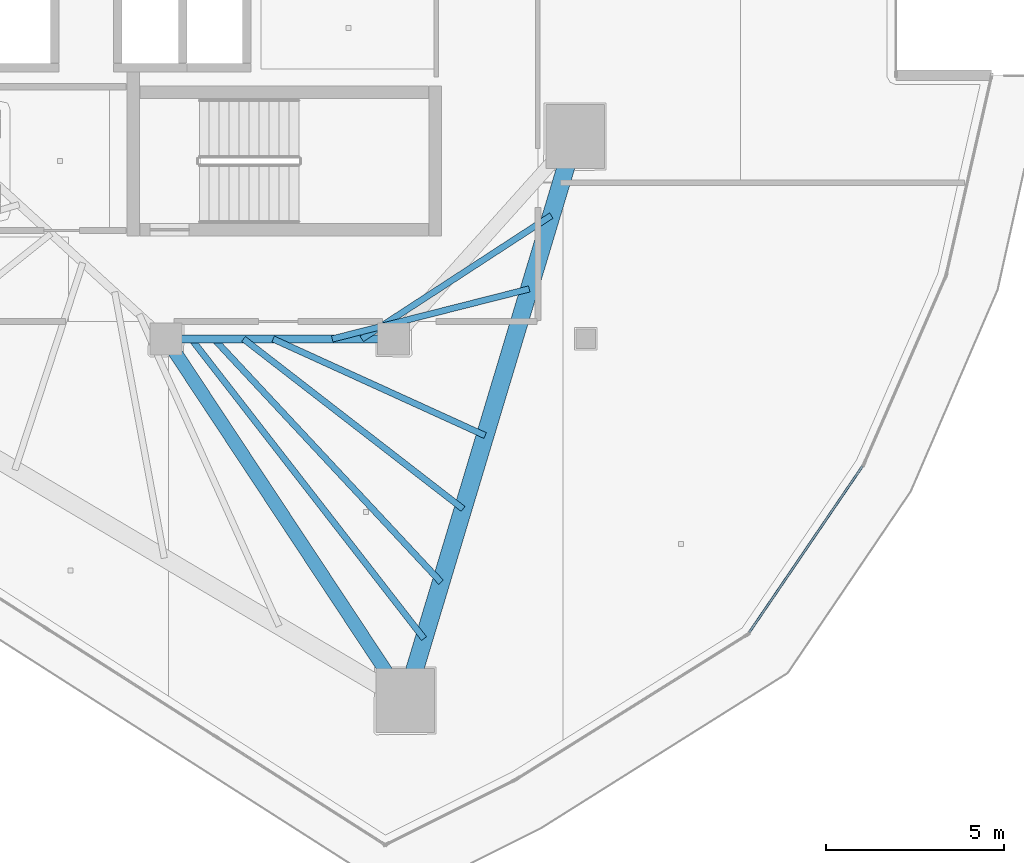
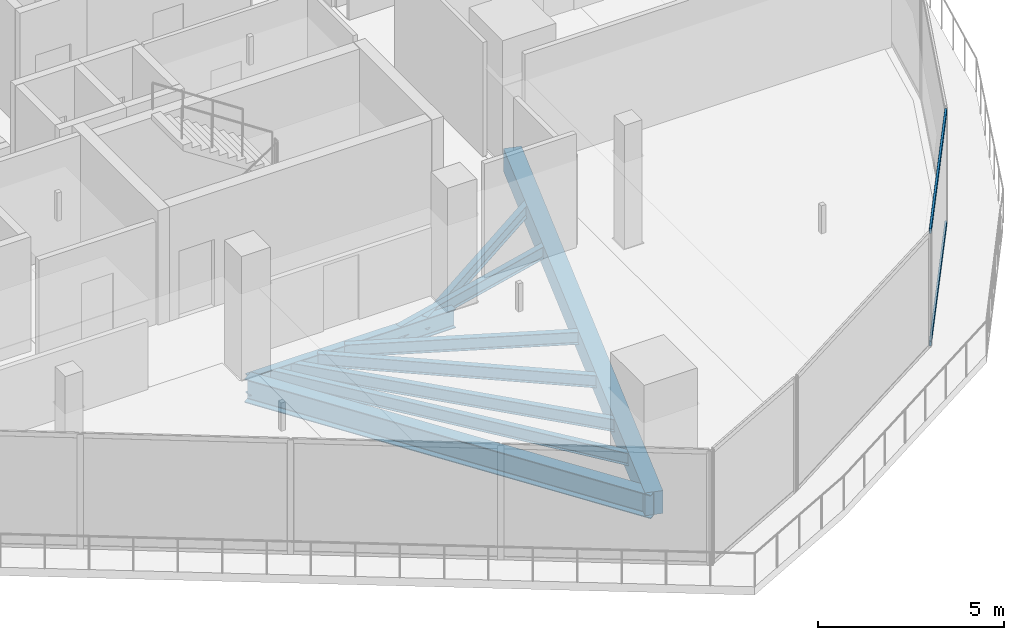
# One storey, part 11 of 34: 9 beams, 2 members, 1 element without a shape of its own.
"""IFC4 building model written with IfcOpenShell, lengths in metres."""

from ifc_helpers import new_model, si_unit, direction, frame, origin, origin_2d, place, context, subcontext, project, spatial, rectangle, hollow_rectangle, i_section, extrude, material, layer, layer_set, material_profile, profile_set, type_object, element, aggregate, save


model = new_model("IFC4")

# Units and contexts
model_context = context("Model", 3, precision=1e-05, world=origin(), true_north=direction((0.0, 1.0)))
body_context = subcontext(model_context, "Body", "Model", "MODEL_VIEW")
ifc_project = project(units=[si_unit("LENGTHUNIT", "METRE"), si_unit("AREAUNIT", "SQUARE_METRE"), si_unit("VOLUMEUNIT", "CUBIC_METRE"), si_unit("PLANEANGLEUNIT", "RADIAN"), si_unit("MASSUNIT", "GRAM", prefix="KILO")], contexts=[model_context])

# Site, building, storey
site_placement = place(None, origin())
site = spatial("IfcSite", under=ifc_project, at=site_placement, CompositionType="ELEMENT")
building_placement = place(site_placement, origin())
building = spatial("IfcBuilding", under=site, at=building_placement, Name="Qorvath Tower", CompositionType="ELEMENT")
storey_placement = place(building_placement, frame((0.0, 0.0, 245.550048828125)))
storey = spatial("IfcBuildingStorey", under=building, at=storey_placement, Name="L57", CompositionType="ELEMENT", Elevation=245.550048828125)

# Beams
ifc_material_1 = material(Name="Steel ASTM A992 Grade 50", Category="steel")
ifc_material_profile_1 = material_profile(ifc_material_1, i_section(OverallWidth=0.381103515625, OverallDepth=0.77294921875, WebThickness=0.0166015625, FlangeThickness=0.027099609375, FilletRadius=0.01904296875, at=origin_2d()), Name="W30x173")
ifc_profile_set_1 = profile_set([ifc_material_profile_1], Name="Steel ASTM A992 Grade 50")
beam_type_1 = type_object("IfcBeamType", Name="BM-FG3", PredefinedType="BEAM", material=ifc_profile_set_1)
beam_1_placement = place(storey_placement, frame((-23.60009765625, -11.449951171875, -0.656494140625), z_axis=(0.551500517741, -0.834174549439, 0.0), x_axis=(0.834174549439, 0.551500517741, 0.0)))
element("IfcBeam", 1, at=beam_1_placement, inside=storey, type_object=beam_type_1, Name="Radial Floor Girder CC4-MC3 L57", PredefinedType="BEAM", context=body_context, shape_type="SweptSolid", body=[
    extrude(i_section(OverallWidth=0.381103515625, OverallDepth=0.77294921875, WebThickness=0.0166015625, FlangeThickness=0.027099609375, FilletRadius=0.01904296875, at=origin_2d()), origin(), (0.0, 0.0, 1.0), 12.200439453125),
])
ifc_material_2 = material(Name="Steel ASTM A992 Grade 50", Category="steel")
ifc_material_profile_2 = material_profile(ifc_material_2, i_section(OverallWidth=0.22998046875, OverallDepth=0.616943359375, WebThickness=0.01318359375, FlangeThickness=0.022216796875, FilletRadius=0.014892578125, at=origin_2d()), Name="W24x94")
ifc_profile_set_2 = profile_set([ifc_material_profile_2], Name="Steel ASTM A992 Grade 50")
beam_type_2 = type_object("IfcBeamType", Name="BM-FG6", PredefinedType="BEAM", material=ifc_profile_set_2)
beam_2_placement = place(storey_placement, frame((-17.199951171875, -11.449951171875, -0.57861328125), z_axis=(-1.0, 0.0, 0.0), x_axis=(0.0, -1.0, 0.0)))
element("IfcBeam", 2, at=beam_2_placement, inside=storey, type_object=beam_type_2, Name="Core Ring Girder CC3-CC4 L57", PredefinedType="BEAM", context=body_context, shape_type="SweptSolid", body=[
    extrude(i_section(OverallWidth=0.22998046875, OverallDepth=0.616943359375, WebThickness=0.01318359375, FlangeThickness=0.022216796875, FilletRadius=0.014892578125, at=origin_2d()), origin(), (0.0, 0.0, 1.0), 6.400146484375),
])
ifc_material_3 = material(Name="Steel ASTM A992 Grade 50", Category="steel")
ifc_material_profile_3 = material_profile(ifc_material_3, i_section(OverallWidth=0.177978515625, OverallDepth=0.406005859375, WebThickness=0.0078125, FlangeThickness=0.0126953125, FilletRadius=0.010986328125, at=origin_2d()), Name="W16x40")
ifc_profile_set_3 = profile_set([ifc_material_profile_3], Name="Steel ASTM A992 Grade 50")
beam_type_3 = type_object("IfcBeamType", Name="BM-FJ3", PredefinedType="JOIST", material=ifc_profile_set_3)
beam_3_placement = place(storey_placement, frame((-18.095947265625, -11.449951171875, -0.47314453125), z_axis=(0.838041756057, 0.545606098853, 0.0), x_axis=(-0.545606098853, 0.838041756057, 0.0)))
element("IfcBeam", 3, at=beam_3_placement, inside=storey, type_object=beam_type_3, Name="Composite Floor Joist SE1 L57", PredefinedType="JOIST", context=body_context, shape_type="SweptSolid", body=[
    extrude(i_section(OverallWidth=0.177978515625, OverallDepth=0.406005859375, WebThickness=0.0078125, FlangeThickness=0.0126953125, FilletRadius=0.010986328125, at=origin_2d()), origin(), (0.0, 0.0, 1.0), 6.36083984375),
])
beam_4_placement = place(storey_placement, frame((-18.927978515625, -11.449951171875, -0.47314453125), z_axis=(0.969231577698, 0.246150662794, 0.0), x_axis=(-0.246150662794, 0.969231577698, 0.0)))
element("IfcBeam", 4, at=beam_4_placement, inside=storey, type_object=beam_type_3, Name="Composite Floor Joist SE2 L57", PredefinedType="JOIST", context=body_context, shape_type="SweptSolid", body=[
    extrude(i_section(OverallWidth=0.177978515625, OverallDepth=0.406005859375, WebThickness=0.0078125, FlangeThickness=0.0126953125, FilletRadius=0.010986328125, at=origin_2d()), origin(), (0.0, 0.0, 1.0), 5.718017578125),
])
beam_5_placement = place(storey_placement, frame((-20.592041015625, -11.449951171875, -0.47314453125), z_axis=(0.909945081179, -0.414728765868, 0.0), x_axis=(0.414728765868, 0.909945081179, 0.0)))
element("IfcBeam", 5, at=beam_5_placement, inside=storey, type_object=beam_type_3, Name="Composite Floor Joist SE4 L57", PredefinedType="JOIST", context=body_context, shape_type="SweptSolid", body=[
    extrude(i_section(OverallWidth=0.177978515625, OverallDepth=0.406005859375, WebThickness=0.0078125, FlangeThickness=0.0126953125, FilletRadius=0.010986328125, at=origin_2d()), origin(), (0.0, 0.0, 1.0), 6.554931640625),
])
beam_6_placement = place(storey_placement, frame((-21.424072265625, -11.449951171875, -0.47314453125), z_axis=(0.790693445503, -0.612212279555, 0.0), x_axis=(0.612212279555, 0.790693445503, 0.0)))
element("IfcBeam", 6, at=beam_6_placement, inside=storey, type_object=beam_type_3, Name="Composite Floor Joist SE5 L57", PredefinedType="JOIST", context=body_context, shape_type="SweptSolid", body=[
    extrude(i_section(OverallWidth=0.177978515625, OverallDepth=0.406005859375, WebThickness=0.0078125, FlangeThickness=0.0126953125, FilletRadius=0.010986328125, at=origin_2d()), origin(), (0.0, 0.0, 1.0), 7.810546875),
])
beam_7_placement = place(storey_placement, frame((-22.256103515625, -11.449951171875, -0.47314453125), z_axis=(0.682249490937, -0.731119437654, 0.0), x_axis=(0.731119437654, 0.682249490937, 0.0)))
element("IfcBeam", 7, at=beam_7_placement, inside=storey, type_object=beam_type_3, Name="Composite Floor Joist SE6 L57", PredefinedType="JOIST", context=body_context, shape_type="SweptSolid", body=[
    extrude(i_section(OverallWidth=0.177978515625, OverallDepth=0.406005859375, WebThickness=0.0078125, FlangeThickness=0.0126953125, FilletRadius=0.010986328125, at=origin_2d()), origin(), (0.0, 0.0, 1.0), 9.362060546875),
])
beam_8_placement = place(storey_placement, frame((-22.89599609375, -11.449951171875, -0.47314453125), z_axis=(0.61345131907, -0.789732536452, 0.0), x_axis=(0.789732536452, 0.61345131907, 0.0)))
element("IfcBeam", 8, at=beam_8_placement, inside=storey, type_object=beam_type_3, Name="Composite Floor Joist SE7 L57", PredefinedType="JOIST", context=body_context, shape_type="SweptSolid", body=[
    extrude(i_section(OverallWidth=0.177978515625, OverallDepth=0.406005859375, WebThickness=0.0078125, FlangeThickness=0.0126953125, FilletRadius=0.010986328125, at=origin_2d()), origin(), (0.0, 0.0, 1.0), 10.676513671875),
])
ifc_material_4 = material(Name="Concrete C45/55", Category="concrete")
ifc_material_profile_4 = material_profile(ifc_material_4, rectangle(XDim=0.5, YDim=0.75, at=origin_2d()), Name="RCB 750x500")
ifc_profile_set_4 = profile_set([ifc_material_profile_4], Name="Concrete C45/55")
beam_type_4 = type_object("IfcBeamType", Name="BM-RCB3", PredefinedType="SPANDREL", material=ifc_profile_set_4)
beam_9_placement = place(storey_placement, frame((-16.87158203125, -21.627197265625, -0.64501953125), z_axis=(0.28812763802, 0.957592013443, 0.0), x_axis=(-0.957592013443, 0.28812763802, 0.0)))
element("IfcBeam", 9, at=beam_9_placement, inside=storey, type_object=beam_type_4, Name="Perimeter Loggia Frame Beam MC3-MC4 L57", PredefinedType="SPANDREL", context=body_context, shape_type="SweptSolid", body=[
    extrude(rectangle(XDim=0.5, YDim=0.75, at=origin_2d()), origin(), (0.0, 0.0, 1.0), 16.572265625),
])

# Curtain wall, members
ifc_material_5 = material(Name="Anodised aluminium and triple low-E glass", Category="aluminium")
ifc_layer = layer(ifc_material_5, 0.179931640625)
ifc_layer_set = layer_set([ifc_layer], Name="CW-SYS-3")
curtain_wall_type = type_object("IfcCurtainWallType", Name="CW-SYS-3", PredefinedType="NOTDEFINED", material=ifc_layer_set)
curtain_wall_placement = place(storey_placement, origin())
curtain_wall = element("IfcCurtainWall", 10, at=curtain_wall_placement, inside=storey, type_object=curtain_wall_type, Name="Curtain Wall CW-3 CW-T-L57-5.1", PredefinedType="NOTDEFINED")
ifc_material_6 = material(Name="Anodised aluminium 6063-T6", Category="aluminium")
ifc_material_profile_5 = material_profile(ifc_material_6, hollow_rectangle(XDim=0.06494140625, YDim=0.159912109375, WallThickness=0.00341796875, InnerFilletRadius=0.00341796875, OuterFilletRadius=0.007080078125, at=origin_2d()), Name="CWT 160x65")
ifc_profile_set_5 = profile_set([ifc_material_profile_5], Name="Anodised aluminium 6063-T6")
member_type = type_object("IfcMemberType", Name="CWT-160", PredefinedType="USERDEFINED", material=ifc_profile_set_5)
member_1_placement = place(storey_placement, frame((-7.1943359375, -19.703857421875, 0.032470703125), z_axis=(0.563031341183, 0.826435544278, 0.0), x_axis=(-0.826435544278, 0.563031341183, 0.0)))
member_1 = element("IfcMember", 11, at=member_1_placement, type_object=member_type, Name="CW-3 transom 1.1", ObjectType="TRANSOM", PredefinedType="USERDEFINED", context=body_context, shape_type="SweptSolid", body=[
    extrude(hollow_rectangle(XDim=0.06494140625, YDim=0.159912109375, WallThickness=0.00341796875, InnerFilletRadius=0.00341796875, OuterFilletRadius=0.007080078125, at=origin_2d()), origin(), (0.0, 0.0, 1.0), 5.65478515625),
])
member_2_placement = place(storey_placement, frame((-7.1943359375, -19.703857421875, 3.717529296875), z_axis=(0.563031341183, 0.826435544278, 0.0), x_axis=(-0.826435544278, 0.563031341183, 0.0)))
member_2 = element("IfcMember", 12, at=member_2_placement, type_object=member_type, Name="CW-3 transom 1.2", ObjectType="TRANSOM", PredefinedType="USERDEFINED", context=body_context, shape_type="SweptSolid", body=[
    extrude(hollow_rectangle(XDim=0.06494140625, YDim=0.159912109375, WallThickness=0.00341796875, InnerFilletRadius=0.00341796875, OuterFilletRadius=0.007080078125, at=origin_2d()), origin(), (0.0, 0.0, 1.0), 5.65478515625),
])
aggregate(curtain_wall, [member_1, member_2])

save(model, "model.ifc")
